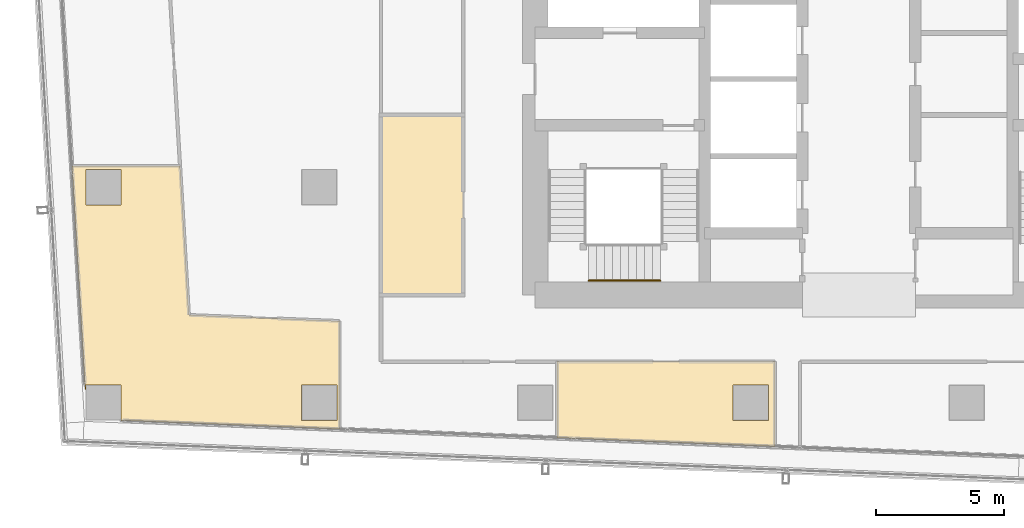
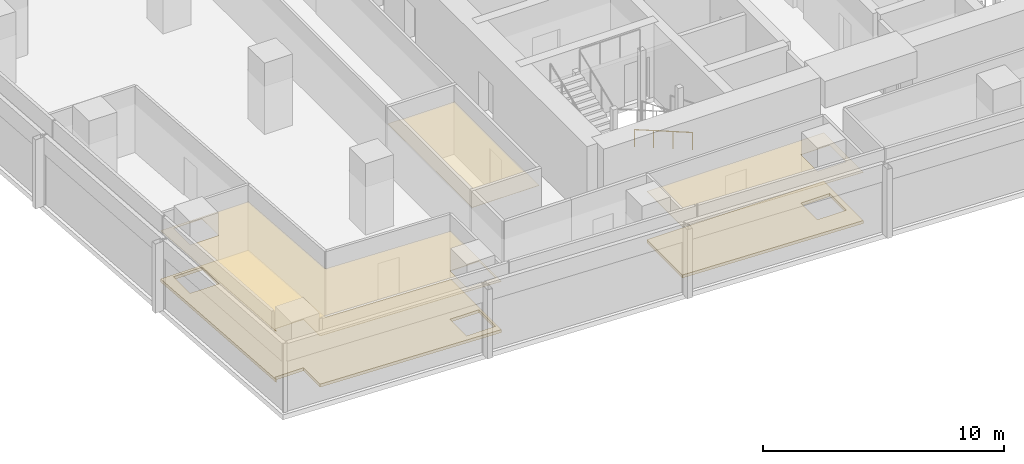
# One storey, part 31 of 38: 5 coverings, 1 railing.
"""IFC4 building model written with IfcOpenShell, lengths in metres."""

from ifc_helpers import new_model, si_unit, direction, frame, origin, origin_2d, place, context, subcontext, project, spatial, polyline, circle, outline, extrude, material, layer, layer_set, type_object, element, save


model = new_model("IFC4")

# Units and contexts
model_context = context("Model", 3, precision=1e-05, world=origin(), true_north=direction((0.0, 1.0)))
body_context = subcontext(model_context, "Body", "Model", "MODEL_VIEW")
ifc_project = project(units=[si_unit("LENGTHUNIT", "METRE"), si_unit("AREAUNIT", "SQUARE_METRE"), si_unit("VOLUMEUNIT", "CUBIC_METRE"), si_unit("PLANEANGLEUNIT", "RADIAN"), si_unit("MASSUNIT", "GRAM", prefix="KILO")], contexts=[model_context])

# Site, building, storey
site_placement = place(None, origin())
site = spatial("IfcSite", under=ifc_project, at=site_placement, CompositionType="ELEMENT")
building_placement = place(site_placement, origin())
building = spatial("IfcBuilding", under=site, at=building_placement, Name="Rekha Terrace Tower", CompositionType="ELEMENT")
storey_placement = place(building_placement, frame((0.0, 0.0, 198.949951171875)))
storey = spatial("IfcBuildingStorey", under=building, at=storey_placement, Name="L50", CompositionType="ELEMENT", Elevation=198.949951171875)

# Coverings
ifc_material_1 = material(Name="Mineral fibre tile in exposed grid", Category="finish")
ifc_layer_1 = layer(ifc_material_1, 0.02001953125)
ifc_layer_set_1 = layer_set([ifc_layer_1], Name="Mineral fibre tile in exposed grid")
covering_type_1 = type_object("IfcCoveringType", Name="CL1 600x1200 office grid ceiling", PredefinedType="CEILING", material=ifc_layer_set_1)
covering_1_placement = place(storey_placement, frame((0.0, 0.0, 2.580078125)))
element("IfcCovering", 1, at=covering_1_placement, inside=storey, type_object=covering_type_1, Name="Ceiling L50-15", PredefinedType="CEILING", context=body_context, shape_type="SweptSolid", body=[
    extrude(outline(polyline([(9.090087890625, 16.117919921875), (17.5849609375, 15.779052734375), (17.5849609375, 19.98193359375), (11.720947265625, 20.216064453125), (11.37890625, 26.02294921875), (7.172119140625, 26.02294921875), (7.68408203125, 17.319091796875), (7.7099609375, 17.320068359375), (7.7099609375, 17.489990234375), (9.090087890625, 17.489990234375), (9.090087890625, 16.117919921875)]), holes=[polyline([(17.489990234375, 17.489990234375), (17.489990234375, 16.110107421875), (16.110107421875, 16.110107421875), (16.110107421875, 17.489990234375), (17.489990234375, 17.489990234375)]), polyline([(9.090087890625, 24.510009765625), (7.7099609375, 24.510009765625), (7.7099609375, 25.889892578125), (9.090087890625, 25.889892578125), (9.090087890625, 24.510009765625)])]), origin(), (0.0, 0.0, 1.0), 0.02001953125),
])
covering_2_placement = place(storey_placement, frame((0.0, 0.0, 2.580078125)))
element("IfcCovering", 2, at=covering_2_placement, inside=storey, type_object=covering_type_1, Name="Ceiling L50-16", PredefinedType="CEILING", context=body_context, shape_type="SweptSolid", body=[
    extrude(outline(polyline([(26.05810546875, 18.39990234375), (26.05810546875, 15.43994140625), (34.530029296875, 15.10205078125), (34.530029296875, 18.39990234375), (26.05810546875, 18.39990234375)]), holes=[polyline([(34.2900390625, 16.110107421875), (32.909912109375, 16.110107421875), (32.909912109375, 17.489990234375), (34.2900390625, 17.489990234375), (34.2900390625, 16.110107421875)])]), origin(), (0.0, 0.0, 1.0), 0.02001953125),
])
ifc_material_2 = material(Name="Fibre cement board", Category="finish")
ifc_layer_2 = layer(ifc_material_2, 0.014892578125)
ifc_layer_set_2 = layer_set([ifc_layer_2], Name="Fibre cement board")
covering_type_2 = type_object("IfcCoveringType", Name="CL2 moisture-resistant board ceiling", PredefinedType="CEILING", material=ifc_layer_set_2)
covering_3_placement = place(storey_placement, frame((0.0, 0.0, 2.5849609375)))
element("IfcCovering", 3, at=covering_3_placement, inside=storey, type_object=covering_type_2, Name="Ceiling L50-WCM", PredefinedType="CEILING", context=body_context, shape_type="SweptSolid", body=[
    extrude(outline(polyline([(22.39990234375, 28.0), (19.199951171875, 28.0), (19.199951171875, 21.0), (22.39990234375, 21.0), (22.39990234375, 28.0)])), origin(), (0.0, 0.0, 1.0), 0.01513671875),
])

# Railing
ifc_material_3 = material(Name="Stainless steel tube", Category="steel")
railing_type = type_object("IfcRailingType", Name="HR1 900 stair handrail", PredefinedType="HANDRAIL", material=ifc_material_3)
railing_placement = place(storey_placement, frame((30.074951171875, 21.56005859375, 1.375)))
element("IfcRailing", 4, at=railing_placement, inside=storey, type_object=railing_type, Name="Handrail ST1 L50 flight 2", PredefinedType="HANDRAIL", context=body_context, shape_type="SweptSolid", body=[
    extrude(circle(Radius=0.02392578125, at=origin_2d()), frame((0.0, 0.0, 0.8759765625), z_axis=(-0.927443287984, 0.0, 0.373963831907), x_axis=(0.0, -1.0, 0.0)), (0.0, 0.0, 1.0), 3.00830078125),
    extrude(circle(Radius=0.02099609375, at=origin_2d()), origin(), (0.0, 0.0, 1.0), 0.851806640625),
    extrude(circle(Radius=0.02099609375, at=origin_2d()), frame((-0.929931640625, 0.0, 0.375)), (0.0, 0.0, 1.0), 0.851806640625),
    extrude(circle(Radius=0.02099609375, at=origin_2d()), frame((-1.860107421875, 0.0, 0.75)), (0.0, 0.0, 1.0), 0.851806640625),
    extrude(circle(Radius=0.02099609375, at=origin_2d()), frame((-2.7900390625, 0.0, 1.125)), (0.0, 0.0, 1.0), 0.851806640625),
])

# Coverings
ifc_material_4 = material(Name="Calcium sulphate panels on steel pedestals", Category="steel")
ifc_layer_3 = layer(ifc_material_4, 0.14990234375)
ifc_layer_set_3 = layer_set([ifc_layer_3], Name="Calcium sulphate panels on steel pedestals")
covering_type_3 = type_object("IfcCoveringType", Name="RF1 150 raised access floor", PredefinedType="FLOORING", material=ifc_layer_set_3)
covering_4_placement = place(storey_placement, origin())
element("IfcCovering", 5, at=covering_4_placement, inside=storey, type_object=covering_type_3, Name="Raised floor L50-15", PredefinedType="FLOORING", context=body_context, shape_type="SweptSolid", body=[
    extrude(outline(polyline([(9.090087890625, 16.117919921875), (17.5849609375, 15.779052734375), (17.5849609375, 19.98193359375), (11.720947265625, 20.216064453125), (11.37890625, 26.02294921875), (7.172119140625, 26.02294921875), (7.68408203125, 17.319091796875), (7.7099609375, 17.320068359375), (7.7099609375, 17.489990234375), (9.090087890625, 17.489990234375), (9.090087890625, 16.117919921875)]), holes=[polyline([(17.489990234375, 17.489990234375), (17.489990234375, 16.110107421875), (16.110107421875, 16.110107421875), (16.110107421875, 17.489990234375), (17.489990234375, 17.489990234375)]), polyline([(9.090087890625, 24.510009765625), (7.7099609375, 24.510009765625), (7.7099609375, 25.889892578125), (9.090087890625, 25.889892578125), (9.090087890625, 24.510009765625)])]), origin(), (0.0, 0.0, 1.0), 0.150146484375),
])
covering_5_placement = place(storey_placement, origin())
element("IfcCovering", 6, at=covering_5_placement, inside=storey, type_object=covering_type_3, Name="Raised floor L50-16", PredefinedType="FLOORING", context=body_context, shape_type="SweptSolid", body=[
    extrude(outline(polyline([(26.05810546875, 18.39990234375), (26.05810546875, 15.43994140625), (34.530029296875, 15.10205078125), (34.530029296875, 18.39990234375), (26.05810546875, 18.39990234375)]), holes=[polyline([(34.2900390625, 16.110107421875), (32.909912109375, 16.110107421875), (32.909912109375, 17.489990234375), (34.2900390625, 17.489990234375), (34.2900390625, 16.110107421875)])]), origin(), (0.0, 0.0, 1.0), 0.150146484375),
])

save(model, "model.ifc")
